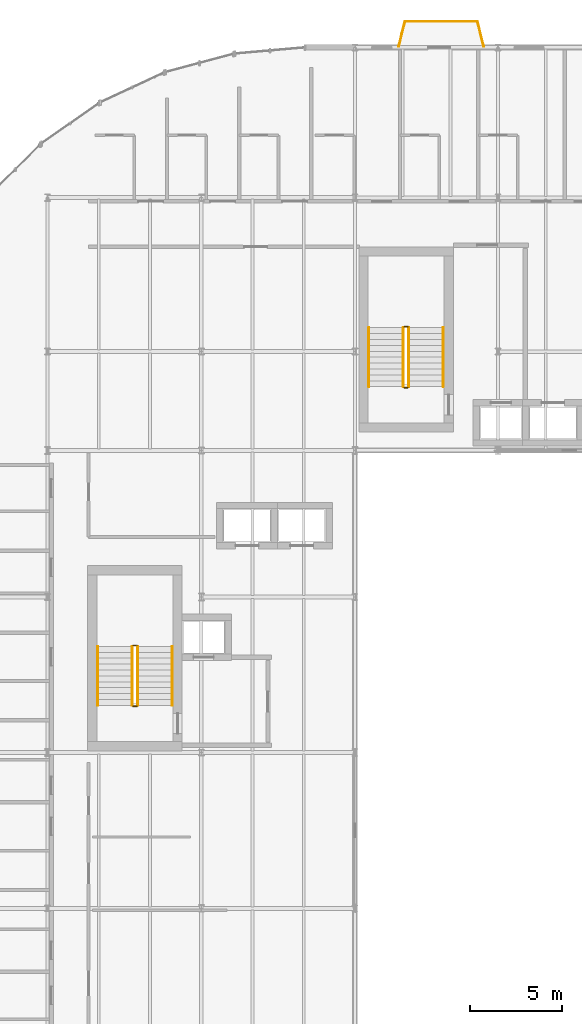
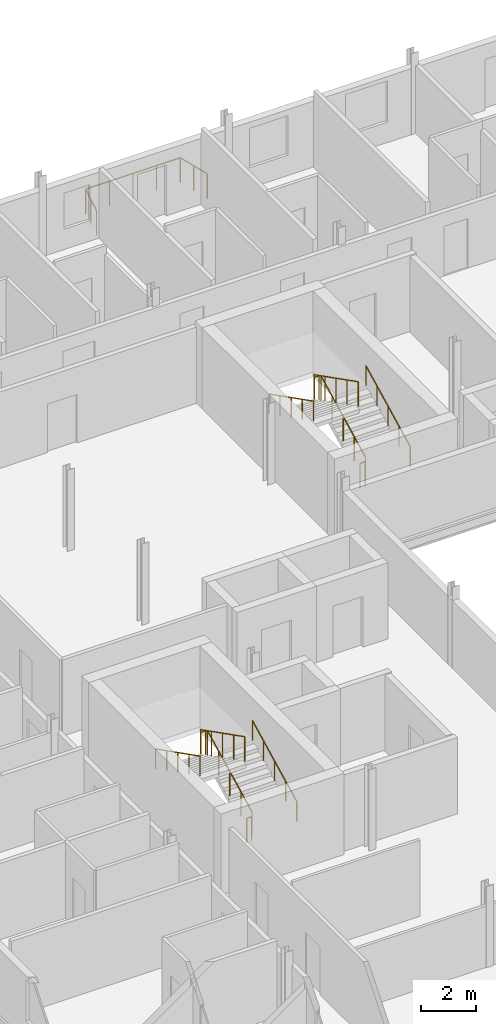
# One storey, part 23 of 25: 15 railings.
"""IFC4 building model written with IfcOpenShell, lengths in metres."""

from ifc_helpers import new_model, si_unit, direction, frame, origin, origin_2d, place, context, subcontext, project, spatial, circle, extrude, material, type_object, element, save


model = new_model("IFC4")

# Units and contexts
model_context = context("Model", 3, precision=1e-05, world=origin(), true_north=direction((0.0, 1.0)))
body_context = subcontext(model_context, "Body", "Model", "MODEL_VIEW")
ifc_project = project(units=[si_unit("LENGTHUNIT", "METRE"), si_unit("AREAUNIT", "SQUARE_METRE"), si_unit("VOLUMEUNIT", "CUBIC_METRE"), si_unit("PLANEANGLEUNIT", "RADIAN"), si_unit("MASSUNIT", "GRAM", prefix="KILO")], contexts=[model_context])

# Site, building, storey
site_placement = place(None, origin())
site = spatial("IfcSite", under=ifc_project, at=site_placement, CompositionType="ELEMENT")
building_placement = place(site_placement, origin())
building = spatial("IfcBuilding", under=site, at=building_placement, Name="Sefraquen Railside Congress Hotel", CompositionType="ELEMENT")
storey_placement = place(building_placement, frame((0.0, 0.0, 39.0)))
storey = spatial("IfcBuildingStorey", under=building, at=storey_placement, Name="L09", CompositionType="ELEMENT", Elevation=39.0)

# Railings
ifc_material = material(Name="Patinated wrought architectural bronze", Category="metal")
railing_type_1 = type_object("IfcRailingType", Name="TRL-BAL-110", PredefinedType="BALUSTRADE", material=ifc_material)
railing_1_placement = place(storey_placement, frame((27.580078125, 118.050048828125, 0.0)))
element("IfcRailing", 1, at=railing_1_placement, inside=storey, type_object=railing_type_1, Name="Guest balcony Art Nouveau balustrade L09-01", PredefinedType="BALUSTRADE", context=body_context, shape_type="SweptSolid", body=[
    extrude(circle(Radius=0.02392578125, at=origin_2d()), frame((0.0, 0.0, 1.09619140625), z_axis=(0.240785102022, 0.970578453627, 0.0), x_axis=(-0.970578453627, 0.240785102022, 0.0)), (0.0, 0.0, 1.0), 1.411376953125),
    extrude(circle(Radius=0.02099609375, at=origin_2d()), origin(), (0.0, 0.0, 1.0), 1.072021484375),
    extrude(circle(Radius=0.02099609375, at=origin_2d()), frame((0.169921875, 0.68505859375, 0.0)), (0.0, 0.0, 1.0), 1.072021484375),
    extrude(circle(Radius=0.02099609375, at=origin_2d()), frame((0.33984375, 1.369873046875, 0.0)), (0.0, 0.0, 1.0), 1.072021484375),
])
railing_2_placement = place(storey_placement, frame((27.919921875, 119.419921875, 0.0)))
element("IfcRailing", 2, at=railing_2_placement, inside=storey, type_object=railing_type_1, Name="Guest balcony Art Nouveau balustrade L09-01", PredefinedType="BALUSTRADE", context=body_context, shape_type="SweptSolid", body=[
    extrude(circle(Radius=0.02392578125, at=origin_2d()), frame((0.0, 0.0, 1.09619140625), z_axis=(1.0, 0.0, 0.0), x_axis=(0.0, 1.0, 0.0)), (0.0, 0.0, 1.0), 3.9599609375),
    extrude(circle(Radius=0.02099609375, at=origin_2d()), origin(), (0.0, 0.0, 1.0), 1.072021484375),
    extrude(circle(Radius=0.02099609375, at=origin_2d()), frame((0.989990234375, 0.0, 0.0)), (0.0, 0.0, 1.0), 1.072021484375),
    extrude(circle(Radius=0.02099609375, at=origin_2d()), frame((1.97998046875, 0.0, 0.0)), (0.0, 0.0, 1.0), 1.072021484375),
    extrude(circle(Radius=0.02099609375, at=origin_2d()), frame((2.969970703125, 0.0, 0.0)), (0.0, 0.0, 1.0), 1.072021484375),
    extrude(circle(Radius=0.02099609375, at=origin_2d()), frame((3.9599609375, 0.0, 0.0)), (0.0, 0.0, 1.0), 1.072021484375),
])
railing_3_placement = place(storey_placement, frame((31.8798828125, 119.419921875, 0.0)))
element("IfcRailing", 3, at=railing_3_placement, inside=storey, type_object=railing_type_1, Name="Guest balcony Art Nouveau balustrade L09-01", PredefinedType="BALUSTRADE", context=body_context, shape_type="SweptSolid", body=[
    extrude(circle(Radius=0.02392578125, at=origin_2d()), frame((0.0, 0.0, 1.09619140625), z_axis=(0.240948040829, -0.970538016577, 0.0), x_axis=(0.970538016577, 0.240948040829, 0.0)), (0.0, 0.0, 1.0), 1.411376953125),
    extrude(circle(Radius=0.02099609375, at=origin_2d()), origin(), (0.0, 0.0, 1.0), 1.072021484375),
    extrude(circle(Radius=0.02099609375, at=origin_2d()), frame((0.169921875, -0.68505859375, 0.0)), (0.0, 0.0, 1.0), 1.072021484375),
    extrude(circle(Radius=0.02099609375, at=origin_2d()), frame((0.340087890625, -1.369873046875, 0.0)), (0.0, 0.0, 1.0), 1.072021484375),
])
railing_4_placement = place(storey_placement, frame((13.330078125, 82.080078125, 0.16357421875)))
element("IfcRailing", 4, at=railing_4_placement, inside=storey, type_object=railing_type_1, Name="L09 ST-H01 stair guard 1", PredefinedType="BALUSTRADE", context=body_context, shape_type="SweptSolid", body=[
    extrude(circle(Radius=0.02392578125, at=origin_2d()), frame((0.0, 0.0, 1.076171875), z_axis=(0.0, 0.891474443924, 0.453070983215), x_axis=(-1.0, 0.0, 0.0)), (0.0, 0.0, 1.0), 3.612060546875),
    extrude(circle(Radius=0.02099609375, at=origin_2d()), origin(), (0.0, 0.0, 1.0), 1.052001953125),
    extrude(circle(Radius=0.02099609375, at=origin_2d()), frame((0.0, 0.804931640625, 0.4091796875)), (0.0, 0.0, 1.0), 1.052001953125),
    extrude(circle(Radius=0.02099609375, at=origin_2d()), frame((0.0, 1.60986328125, 0.818359375)), (0.0, 0.0, 1.0), 1.052001953125),
    extrude(circle(Radius=0.02099609375, at=origin_2d()), frame((0.0, 2.4150390625, 1.227294921875)), (0.0, 0.0, 1.0), 1.052001953125),
    extrude(circle(Radius=0.02099609375, at=origin_2d()), frame((0.0, 3.219970703125, 1.636474609375)), (0.0, 0.0, 1.0), 1.052001953125),
])
railing_5_placement = place(storey_placement, frame((13.280029296875, 85.35009765625, 1.800048828125)))
element("IfcRailing", 5, at=railing_5_placement, inside=storey, type_object=railing_type_1, Name="L09 ST-H01 stair guard 2", PredefinedType="BALUSTRADE", context=body_context, shape_type="SweptSolid", body=[
    extrude(circle(Radius=0.02392578125, at=origin_2d()), frame((0.0, 0.0, 1.076171875), z_axis=(-1.0, 0.0, 0.0), x_axis=(0.0, -1.0, 0.0)), (0.0, 0.0, 1.0), 0.199951171875),
    extrude(circle(Radius=0.02099609375, at=origin_2d()), origin(), (0.0, 0.0, 1.0), 1.052001953125),
    extrude(circle(Radius=0.02099609375, at=origin_2d()), frame((-0.199951171875, 0.0, 0.0)), (0.0, 0.0, 1.0), 1.052001953125),
])
railing_6_placement = place(storey_placement, frame((13.030029296875, 85.300048828125, 1.963623046875)))
element("IfcRailing", 6, at=railing_6_placement, inside=storey, type_object=railing_type_1, Name="L09 ST-H01 stair guard 3", PredefinedType="BALUSTRADE", context=body_context, shape_type="SweptSolid", body=[
    extrude(circle(Radius=0.02392578125, at=origin_2d()), frame((0.0, 0.0, 1.076171875), z_axis=(0.0, -0.891474443924, 0.453070983215), x_axis=(1.0, 0.0, 0.0)), (0.0, 0.0, 1.0), 3.612060546875),
    extrude(circle(Radius=0.02099609375, at=origin_2d()), origin(), (0.0, 0.0, 1.0), 1.052001953125),
    extrude(circle(Radius=0.02099609375, at=origin_2d()), frame((0.0, -0.804931640625, 0.4091796875)), (0.0, 0.0, 1.0), 1.052001953125),
    extrude(circle(Radius=0.02099609375, at=origin_2d()), frame((0.0, -1.60986328125, 0.818359375)), (0.0, 0.0, 1.0), 1.052001953125),
    extrude(circle(Radius=0.02099609375, at=origin_2d()), frame((0.0, -2.4150390625, 1.227294921875)), (0.0, 0.0, 1.0), 1.052001953125),
    extrude(circle(Radius=0.02099609375, at=origin_2d()), frame((0.0, -3.219970703125, 1.636474609375)), (0.0, 0.0, 1.0), 1.052001953125),
])
railing_7_placement = place(storey_placement, frame((13.280029296875, 82.030029296875, 0.0)))
element("IfcRailing", 7, at=railing_7_placement, inside=storey, type_object=railing_type_1, Name="L09 ST-H01 stair guard 4", PredefinedType="BALUSTRADE", context=body_context, shape_type="SweptSolid", body=[
    extrude(circle(Radius=0.02392578125, at=origin_2d()), frame((0.0, 0.0, 1.076171875), z_axis=(-1.0, 0.0, 0.0), x_axis=(0.0, -1.0, 0.0)), (0.0, 0.0, 1.0), 0.199951171875),
    extrude(circle(Radius=0.02099609375, at=origin_2d()), origin(), (0.0, 0.0, 1.0), 1.052001953125),
    extrude(circle(Radius=0.02099609375, at=origin_2d()), frame((-0.199951171875, 0.0, 0.0)), (0.0, 0.0, 1.0), 1.052001953125),
])
railing_8_placement = place(storey_placement, frame((28.1298828125, 99.47998046875, 0.16357421875)))
element("IfcRailing", 8, at=railing_8_placement, inside=storey, type_object=railing_type_1, Name="L09 ST-H02 stair guard 1", PredefinedType="BALUSTRADE", context=body_context, shape_type="SweptSolid", body=[
    extrude(circle(Radius=0.02392578125, at=origin_2d()), frame((0.0, 0.0, 1.076171875), z_axis=(0.0, 0.891474443924, 0.453070983215), x_axis=(-1.0, 0.0, 0.0)), (0.0, 0.0, 1.0), 3.612060546875),
    extrude(circle(Radius=0.02099609375, at=origin_2d()), origin(), (0.0, 0.0, 1.0), 1.052001953125),
    extrude(circle(Radius=0.02099609375, at=origin_2d()), frame((0.0, 0.804931640625, 0.4091796875)), (0.0, 0.0, 1.0), 1.052001953125),
    extrude(circle(Radius=0.02099609375, at=origin_2d()), frame((0.0, 1.60986328125, 0.818359375)), (0.0, 0.0, 1.0), 1.052001953125),
    extrude(circle(Radius=0.02099609375, at=origin_2d()), frame((0.0, 2.4150390625, 1.227294921875)), (0.0, 0.0, 1.0), 1.052001953125),
    extrude(circle(Radius=0.02099609375, at=origin_2d()), frame((0.0, 3.219970703125, 1.636474609375)), (0.0, 0.0, 1.0), 1.052001953125),
])
railing_9_placement = place(storey_placement, frame((28.080078125, 102.75, 1.800048828125)))
element("IfcRailing", 9, at=railing_9_placement, inside=storey, type_object=railing_type_1, Name="L09 ST-H02 stair guard 2", PredefinedType="BALUSTRADE", context=body_context, shape_type="SweptSolid", body=[
    extrude(circle(Radius=0.02392578125, at=origin_2d()), frame((0.0, 0.0, 1.076171875), z_axis=(-1.0, 0.0, 0.0), x_axis=(0.0, -1.0, 0.0)), (0.0, 0.0, 1.0), 0.2001953125),
    extrude(circle(Radius=0.02099609375, at=origin_2d()), origin(), (0.0, 0.0, 1.0), 1.052001953125),
    extrude(circle(Radius=0.02099609375, at=origin_2d()), frame((-0.2001953125, 0.0, 0.0)), (0.0, 0.0, 1.0), 1.052001953125),
])
railing_10_placement = place(storey_placement, frame((27.830078125, 102.699951171875, 1.963623046875)))
element("IfcRailing", 10, at=railing_10_placement, inside=storey, type_object=railing_type_1, Name="L09 ST-H02 stair guard 3", PredefinedType="BALUSTRADE", context=body_context, shape_type="SweptSolid", body=[
    extrude(circle(Radius=0.02392578125, at=origin_2d()), frame((0.0, 0.0, 1.076171875), z_axis=(0.0, -0.891474443924, 0.453070983215), x_axis=(1.0, 0.0, 0.0)), (0.0, 0.0, 1.0), 3.612060546875),
    extrude(circle(Radius=0.02099609375, at=origin_2d()), origin(), (0.0, 0.0, 1.0), 1.052001953125),
    extrude(circle(Radius=0.02099609375, at=origin_2d()), frame((0.0, -0.804931640625, 0.4091796875)), (0.0, 0.0, 1.0), 1.052001953125),
    extrude(circle(Radius=0.02099609375, at=origin_2d()), frame((0.0, -1.60986328125, 0.818359375)), (0.0, 0.0, 1.0), 1.052001953125),
    extrude(circle(Radius=0.02099609375, at=origin_2d()), frame((0.0, -2.4150390625, 1.227294921875)), (0.0, 0.0, 1.0), 1.052001953125),
    extrude(circle(Radius=0.02099609375, at=origin_2d()), frame((0.0, -3.219970703125, 1.636474609375)), (0.0, 0.0, 1.0), 1.052001953125),
])
railing_11_placement = place(storey_placement, frame((28.080078125, 99.429931640625, 0.0)))
element("IfcRailing", 11, at=railing_11_placement, inside=storey, type_object=railing_type_1, Name="L09 ST-H02 stair guard 4", PredefinedType="BALUSTRADE", context=body_context, shape_type="SweptSolid", body=[
    extrude(circle(Radius=0.02392578125, at=origin_2d()), frame((0.0, 0.0, 1.076171875), z_axis=(-1.0, 0.0, 0.0), x_axis=(0.0, -1.0, 0.0)), (0.0, 0.0, 1.0), 0.2001953125),
    extrude(circle(Radius=0.02099609375, at=origin_2d()), origin(), (0.0, 0.0, 1.0), 1.052001953125),
    extrude(circle(Radius=0.02099609375, at=origin_2d()), frame((-0.2001953125, 0.0, 0.0)), (0.0, 0.0, 1.0), 1.052001953125),
])
railing_type_2 = type_object("IfcRailingType", Name="TRL-HR-090", PredefinedType="HANDRAIL", material=ifc_material)
railing_12_placement = place(storey_placement, frame((15.2099609375, 82.080078125, 0.16357421875)))
element("IfcRailing", 12, at=railing_12_placement, inside=storey, type_object=railing_type_2, Name="L09 ST-H01 stair handrail 1", PredefinedType="HANDRAIL", context=body_context, shape_type="SweptSolid", body=[
    extrude(circle(Radius=0.02392578125, at=origin_2d()), frame((0.0, 0.0, 0.8759765625), z_axis=(0.0, 0.891474443924, 0.453070983215), x_axis=(-1.0, 0.0, 0.0)), (0.0, 0.0, 1.0), 3.612060546875),
    extrude(circle(Radius=0.02099609375, at=origin_2d()), origin(), (0.0, 0.0, 1.0), 0.851806640625),
    extrude(circle(Radius=0.02099609375, at=origin_2d()), frame((0.0, 0.804931640625, 0.4091796875)), (0.0, 0.0, 1.0), 0.851806640625),
    extrude(circle(Radius=0.02099609375, at=origin_2d()), frame((0.0, 1.60986328125, 0.818359375)), (0.0, 0.0, 1.0), 0.851806640625),
    extrude(circle(Radius=0.02099609375, at=origin_2d()), frame((0.0, 2.4150390625, 1.227294921875)), (0.0, 0.0, 1.0), 0.851806640625),
    extrude(circle(Radius=0.02099609375, at=origin_2d()), frame((0.0, 3.219970703125, 1.636474609375)), (0.0, 0.0, 1.0), 0.851806640625),
])
railing_13_placement = place(storey_placement, frame((11.14990234375, 85.300048828125, 1.963623046875)))
element("IfcRailing", 13, at=railing_13_placement, inside=storey, type_object=railing_type_2, Name="L09 ST-H01 stair handrail 2", PredefinedType="HANDRAIL", context=body_context, shape_type="SweptSolid", body=[
    extrude(circle(Radius=0.02392578125, at=origin_2d()), frame((0.0, 0.0, 0.8759765625), z_axis=(0.0, -0.891474443924, 0.453070983215), x_axis=(1.0, 0.0, 0.0)), (0.0, 0.0, 1.0), 3.612060546875),
    extrude(circle(Radius=0.02099609375, at=origin_2d()), origin(), (0.0, 0.0, 1.0), 0.851806640625),
    extrude(circle(Radius=0.02099609375, at=origin_2d()), frame((0.0, -0.804931640625, 0.4091796875)), (0.0, 0.0, 1.0), 0.851806640625),
    extrude(circle(Radius=0.02099609375, at=origin_2d()), frame((0.0, -1.60986328125, 0.818359375)), (0.0, 0.0, 1.0), 0.851806640625),
    extrude(circle(Radius=0.02099609375, at=origin_2d()), frame((0.0, -2.4150390625, 1.227294921875)), (0.0, 0.0, 1.0), 0.851806640625),
    extrude(circle(Radius=0.02099609375, at=origin_2d()), frame((0.0, -3.219970703125, 1.636474609375)), (0.0, 0.0, 1.0), 0.851806640625),
])
railing_14_placement = place(storey_placement, frame((30.010009765625, 99.47998046875, 0.16357421875)))
element("IfcRailing", 14, at=railing_14_placement, inside=storey, type_object=railing_type_2, Name="L09 ST-H02 stair handrail 1", PredefinedType="HANDRAIL", context=body_context, shape_type="SweptSolid", body=[
    extrude(circle(Radius=0.02392578125, at=origin_2d()), frame((0.0, 0.0, 0.8759765625), z_axis=(0.0, 0.891474443924, 0.453070983215), x_axis=(-1.0, 0.0, 0.0)), (0.0, 0.0, 1.0), 3.612060546875),
    extrude(circle(Radius=0.02099609375, at=origin_2d()), origin(), (0.0, 0.0, 1.0), 0.851806640625),
    extrude(circle(Radius=0.02099609375, at=origin_2d()), frame((0.0, 0.804931640625, 0.4091796875)), (0.0, 0.0, 1.0), 0.851806640625),
    extrude(circle(Radius=0.02099609375, at=origin_2d()), frame((0.0, 1.60986328125, 0.818359375)), (0.0, 0.0, 1.0), 0.851806640625),
    extrude(circle(Radius=0.02099609375, at=origin_2d()), frame((0.0, 2.4150390625, 1.227294921875)), (0.0, 0.0, 1.0), 0.851806640625),
    extrude(circle(Radius=0.02099609375, at=origin_2d()), frame((0.0, 3.219970703125, 1.636474609375)), (0.0, 0.0, 1.0), 0.851806640625),
])
railing_15_placement = place(storey_placement, frame((25.949951171875, 102.699951171875, 1.963623046875)))
element("IfcRailing", 15, at=railing_15_placement, inside=storey, type_object=railing_type_2, Name="L09 ST-H02 stair handrail 2", PredefinedType="HANDRAIL", context=body_context, shape_type="SweptSolid", body=[
    extrude(circle(Radius=0.02392578125, at=origin_2d()), frame((0.0, 0.0, 0.8759765625), z_axis=(0.0, -0.891474443924, 0.453070983215), x_axis=(1.0, 0.0, 0.0)), (0.0, 0.0, 1.0), 3.612060546875),
    extrude(circle(Radius=0.02099609375, at=origin_2d()), origin(), (0.0, 0.0, 1.0), 0.851806640625),
    extrude(circle(Radius=0.02099609375, at=origin_2d()), frame((0.0, -0.804931640625, 0.4091796875)), (0.0, 0.0, 1.0), 0.851806640625),
    extrude(circle(Radius=0.02099609375, at=origin_2d()), frame((0.0, -1.60986328125, 0.818359375)), (0.0, 0.0, 1.0), 0.851806640625),
    extrude(circle(Radius=0.02099609375, at=origin_2d()), frame((0.0, -2.4150390625, 1.227294921875)), (0.0, 0.0, 1.0), 0.851806640625),
    extrude(circle(Radius=0.02099609375, at=origin_2d()), frame((0.0, -3.219970703125, 1.636474609375)), (0.0, 0.0, 1.0), 0.851806640625),
])

save(model, "model.ifc")
